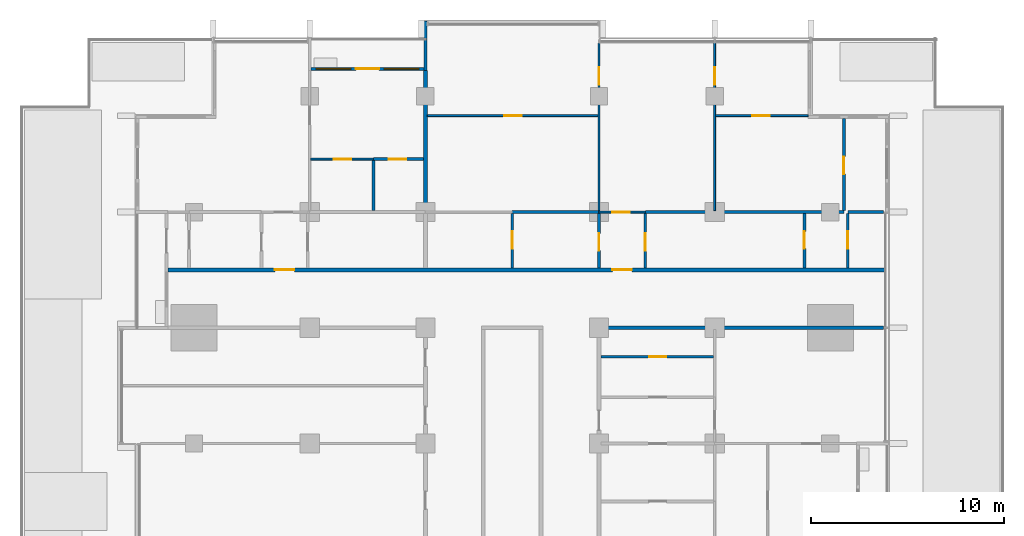
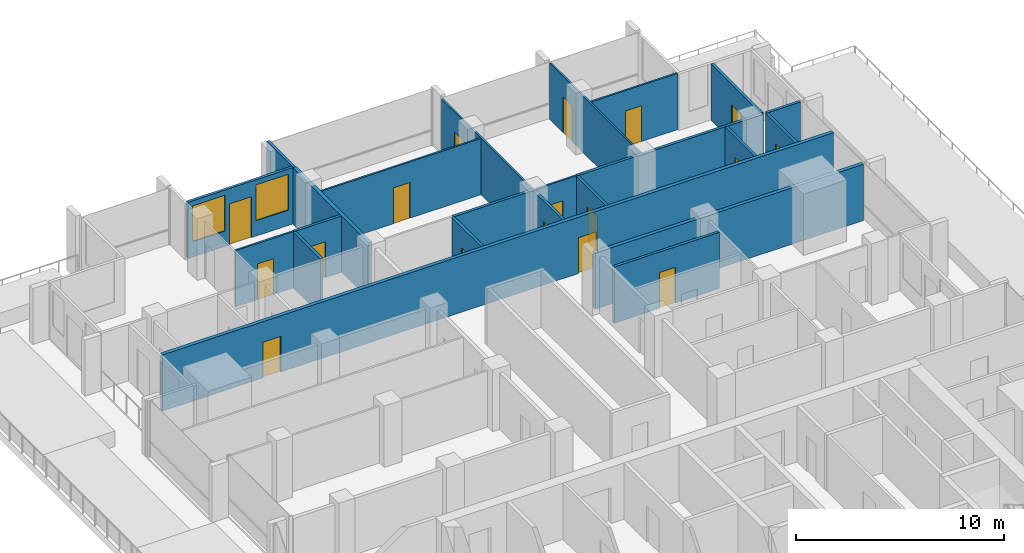
# One storey, part 11 of 18: 23 walls, 17 doors, 2 windows, 19 openings.
"""IFC4 building model written with IfcOpenShell, lengths in metres."""

from ifc_helpers import new_model, si_unit, direction, frame, frame_2d, origin, place, context, subcontext, project, spatial, rectangle, extrude, material, layer, layer_set, type_object, element, fill, save


model = new_model("IFC4")

# Units and contexts
model_context = context("Model", 3, precision=1e-05, world=origin(), true_north=direction((0.0, 1.0)))
body_context = subcontext(model_context, "Body", "Model", "MODEL_VIEW")
ifc_project = project(units=[si_unit("LENGTHUNIT", "METRE"), si_unit("AREAUNIT", "SQUARE_METRE"), si_unit("VOLUMEUNIT", "CUBIC_METRE"), si_unit("PLANEANGLEUNIT", "RADIAN"), si_unit("MASSUNIT", "GRAM", prefix="KILO")], contexts=[model_context])

# Site, building, storey
site_placement = place(None, origin())
site = spatial("IfcSite", under=ifc_project, at=site_placement, CompositionType="ELEMENT")
building_placement = place(site_placement, origin())
building = spatial("IfcBuilding", under=site, at=building_placement, Name="Finial Court Residences", CompositionType="ELEMENT")
storey_placement = place(building_placement, frame((0.0, 0.0, 149.300048828125)))
storey = spatial("IfcBuildingStorey", under=building, at=storey_placement, Name="L36", CompositionType="ELEMENT", Elevation=149.300048828125)

# Walls
ifc_material_1 = material(Name="Gypsum board")
ifc_layer_1 = layer(ifc_material_1, 0.02490234375)
ifc_material_2 = material(Name="Acoustic mineral wool in double frame")
ifc_layer_2 = layer(ifc_material_2, 0.14990234375)
ifc_layer_3 = layer(ifc_material_1, 0.02490234375)
ifc_layer_set_1 = layer_set([ifc_layer_1, ifc_layer_2, ifc_layer_3], Name="Acoustic party wall 200, 1 hour")
wall_type_1 = type_object("IfcWallType", Name="Acoustic party wall 200, 1 hour", PredefinedType="PARTITIONING", material=ifc_layer_set_1)
wall_1_placement = place(storey_placement, frame((-4.5, 13.574951171875, 0.0), z_axis=(0.0, 0.0, 1.0), x_axis=(0.0, 1.0, 0.0)))
element("IfcWall", 1, at=wall_1_placement, inside=storey, type_object=wall_type_1, Name="Partition L36-041", PredefinedType="PARTITIONING", context=body_context, shape_type="SweptSolid", body=[
    extrude(rectangle(XDim=7.275146484375, YDim=0.199951171875, at=frame_2d((3.6376953125, 0.0))), origin(), (0.0, 0.0, 1.0), 3.300048828125),
])
ifc_layer_4 = layer(ifc_material_1, 0.02490234375)
ifc_layer_5 = layer(ifc_material_2, 0.14990234375)
ifc_layer_6 = layer(ifc_material_1, 0.02490234375)
ifc_layer_set_2 = layer_set([ifc_layer_4, ifc_layer_5, ifc_layer_6], Name="Corridor wall 200, 1 hour")
wall_type_2 = type_object("IfcWallType", Name="Corridor wall 200, 1 hour", PredefinedType="PARTITIONING", material=ifc_layer_set_2)
wall_2_placement = place(storey_placement, frame((4.39990234375, 7.5, 0.0), z_axis=(0.0, 0.0, 1.0), x_axis=(1.0, 0.0, 0.0)))
element("IfcWall", 2, at=wall_2_placement, inside=storey, type_object=wall_type_2, Name="Partition L36-018", PredefinedType="PARTITIONING", context=body_context, shape_type="SweptSolid", body=[
    extrude(rectangle(XDim=14.862548828125, YDim=0.199951171875, at=frame_2d((7.43115234375, 0.0))), origin(), (0.0, 0.0, 1.0), 3.300048828125),
])

# Wall, openings, doors
wall_3_placement = place(storey_placement, frame((-17.85009765625, 10.5, 0.0), z_axis=(0.0, 0.0, 1.0), x_axis=(1.0, 0.0, 0.0)))
wall_3 = element("IfcWall", 3, at=wall_3_placement, inside=storey, type_object=wall_type_2, Name="Partition L36-019", PredefinedType="PARTITIONING", context=body_context, shape_type="SweptSolid", body=[
    extrude(rectangle(XDim=37.2001953125, YDim=0.199951171875, at=frame_2d((18.60009765625, 0.0))), origin(), (0.0, 0.0, 1.0), 3.300048828125),
])
opening_1_placement = place(wall_3_placement, frame((5.550048828125, 0.0, 0.0)))
opening_1 = element("IfcOpeningElement", 4, at=opening_1_placement, cuts=wall_3, Name="Opening L36-D015", PredefinedType="OPENING", context=body_context, shape_type="SweptSolid", body=[
    extrude(rectangle(XDim=1.0, YDim=2.10009765625, at=frame_2d((0.5, 1.050048828125))), frame((0.0, 0.10986328125, 0.0), z_axis=(0.0, -1.0, 0.0), x_axis=(1.0, 0.0, 0.0)), (0.0, 0.0, 1.0), 0.219970703125),
])
opening_2_placement = place(wall_3_placement, frame((23.050048828125, 0.0, 0.0)))
opening_2 = element("IfcOpeningElement", 5, at=opening_2_placement, cuts=wall_3, Name="Opening L36-D016", PredefinedType="OPENING", context=body_context, shape_type="SweptSolid", body=[
    extrude(rectangle(XDim=1.0, YDim=2.10009765625, at=frame_2d((0.5, 1.050048828125))), frame((0.0, 0.10986328125, 0.0), z_axis=(0.0, -1.0, 0.0), x_axis=(1.0, 0.0, 0.0)), (0.0, 0.0, 1.0), 0.219970703125),
])
ifc_material_3 = material(Name="Timber door leaf in hollow metal frame", Category="wood")
door_type_1 = type_object("IfcDoorType", Name="Fire door set 1000 x 2100, 30 minutes", OperationType="SINGLE_SWING_LEFT", PredefinedType="DOOR", material=ifc_material_3)
door_1_placement = place(opening_1_placement, origin())
door_1 = element("IfcDoor", 6, at=door_1_placement, inside=storey, type_object=door_type_1, Name="Door L36-D015", OperationType="SINGLE_SWING_RIGHT", OverallHeight=2.10009765625, OverallWidth=1.0, PredefinedType="DOOR", context=body_context, shape_type="SweptSolid", body=[
    extrude(rectangle(XDim=1.0, YDim=2.10009765625, at=frame_2d((0.5, 1.050048828125))), frame((0.0, 0.02490234375, 0.0), z_axis=(0.0, -1.0, 0.0), x_axis=(1.0, 0.0, 0.0)), (0.0, 0.0, 1.0), 0.050048828125),
])
fill(opening_1, door_1)
door_2_placement = place(opening_2_placement, origin())
door_2 = element("IfcDoor", 7, at=door_2_placement, inside=storey, type_object=door_type_1, Name="Door L36-D016", OperationType="SINGLE_SWING_LEFT", OverallHeight=2.10009765625, OverallWidth=1.0, PredefinedType="DOOR", context=body_context, shape_type="SweptSolid", body=[
    extrude(rectangle(XDim=1.0, YDim=2.10009765625, at=frame_2d((0.5, 1.050048828125))), frame((0.0, 0.02490234375, 0.0), z_axis=(0.0, -1.0, 0.0), x_axis=(1.0, 0.0, 0.0)), (0.0, 0.0, 1.0), 0.050048828125),
])
fill(opening_2, door_2)

# Wall, opening, door
ifc_layer_7 = layer(ifc_material_1, 0.012451171875)
ifc_material_4 = material(Name="Mineral wool in light-gauge frame")
ifc_layer_8 = layer(ifc_material_4, 0.074951171875)
ifc_layer_9 = layer(ifc_material_1, 0.012451171875)
ifc_layer_set_3 = layer_set([ifc_layer_7, ifc_layer_8, ifc_layer_9], Name="Gypsum board partition 100")
wall_type_3 = type_object("IfcWallType", Name="Gypsum board partition 100", PredefinedType="PARTITIONING", material=ifc_layer_set_3)
wall_4_placement = place(storey_placement, frame((4.5, 13.5, 0.0), z_axis=(0.0, 0.0, 1.0), x_axis=(1.0, 0.0, 0.0)))
wall_4 = element("IfcWall", 8, at=wall_4_placement, inside=storey, type_object=wall_type_3, Name="Partition L36-023", PredefinedType="PARTITIONING", context=body_context, shape_type="SweptSolid", body=[
    extrude(rectangle(XDim=2.39990234375, YDim=0.10009765625, at=frame_2d((1.199951171875, 0.0))), origin(), (0.0, 0.0, 1.0), 3.300048828125),
])
opening_3_placement = place(wall_4_placement, frame((0.699951171875, 0.0, 0.0)))
opening_3 = element("IfcOpeningElement", 9, at=opening_3_placement, cuts=wall_4, Name="Opening L36-D018", PredefinedType="OPENING", context=body_context, shape_type="SweptSolid", body=[
    extrude(rectangle(XDim=0.89990234375, YDim=2.10009765625, at=frame_2d((0.449951171875, 1.050048828125))), frame((0.0, 0.06005859375, 0.0), z_axis=(0.0, -1.0, 0.0), x_axis=(1.0, 0.0, 0.0)), (0.0, 0.0, 1.0), 0.1201171875),
])
ifc_material_5 = material(Name="Timber door leaf in timber frame", Category="wood")
door_type_2 = type_object("IfcDoorType", Name="Door set 900 x 2100", OperationType="SINGLE_SWING_LEFT", PredefinedType="DOOR", material=ifc_material_5)
door_3_placement = place(opening_3_placement, origin())
door_3 = element("IfcDoor", 10, at=door_3_placement, inside=storey, type_object=door_type_2, Name="Door L36-D018", OperationType="SINGLE_SWING_RIGHT", OverallHeight=2.10009765625, OverallWidth=0.89990234375, PredefinedType="DOOR", context=body_context, shape_type="SweptSolid", body=[
    extrude(rectangle(XDim=0.89990234375, YDim=2.10009765625, at=frame_2d((0.449951171875, 1.050048828125))), frame((0.0, 0.02490234375, 0.0), z_axis=(0.0, -1.0, 0.0), x_axis=(1.0, 0.0, 0.0)), (0.0, 0.0, 1.0), 0.050048828125),
])
fill(opening_3, door_3)

wall_5_placement = place(storey_placement, frame((-10.449951171875, 16.25, 0.0), z_axis=(0.0, 0.0, 1.0), x_axis=(1.0, 0.0, 0.0)))
wall_5 = element("IfcWall", 11, at=wall_5_placement, inside=storey, type_object=wall_type_3, Name="Partition L36-029", PredefinedType="PARTITIONING", context=body_context, shape_type="SweptSolid", body=[
    extrude(rectangle(XDim=3.25, YDim=0.10009765625, at=frame_2d((1.625, 0.0))), origin(), (0.0, 0.0, 1.0), 3.300048828125),
])
opening_4_placement = place(wall_5_placement, frame((1.199951171875, 0.0, 0.0)))
opening_4 = element("IfcOpeningElement", 12, at=opening_4_placement, cuts=wall_5, Name="Opening L36-D019", PredefinedType="OPENING", context=body_context, shape_type="SweptSolid", body=[
    extrude(rectangle(XDim=0.89990234375, YDim=2.10009765625, at=frame_2d((0.449951171875, 1.050048828125))), frame((0.0, 0.06005859375, 0.0), z_axis=(0.0, -1.0, 0.0), x_axis=(1.0, 0.0, 0.0)), (0.0, 0.0, 1.0), 0.1201171875),
])
door_4_placement = place(opening_4_placement, origin())
door_4 = element("IfcDoor", 13, at=door_4_placement, inside=storey, type_object=door_type_2, Name="Door L36-D019", OperationType="SINGLE_SWING_LEFT", OverallHeight=2.10009765625, OverallWidth=0.89990234375, PredefinedType="DOOR", context=body_context, shape_type="SweptSolid", body=[
    extrude(rectangle(XDim=0.89990234375, YDim=2.10009765625, at=frame_2d((0.449951171875, 1.050048828125))), frame((0.0, 0.02490234375, 0.0), z_axis=(0.0, -1.0, 0.0), x_axis=(1.0, 0.0, 0.0)), (0.0, 0.0, 1.0), 0.050048828125),
])
fill(opening_4, door_4)

wall_6_placement = place(storey_placement, frame((-4.39990234375, 18.5, 0.0), z_axis=(0.0, 0.0, 1.0), x_axis=(1.0, 0.0, 0.0)))
wall_6 = element("IfcWall", 14, at=wall_6_placement, inside=storey, type_object=wall_type_3, Name="Partition L36-031", PredefinedType="PARTITIONING", context=body_context, shape_type="SweptSolid", body=[
    extrude(rectangle(XDim=8.849853515625, YDim=0.10009765625, at=frame_2d((4.4248046875, 0.0))), origin(), (0.0, 0.0, 1.0), 3.300048828125),
])
opening_5_placement = place(wall_6_placement, frame((4.0, 0.0, 0.0)))
opening_5 = element("IfcOpeningElement", 15, at=opening_5_placement, cuts=wall_6, Name="Opening L36-D021", PredefinedType="OPENING", context=body_context, shape_type="SweptSolid", body=[
    extrude(rectangle(XDim=0.89990234375, YDim=2.10009765625, at=frame_2d((0.449951171875, 1.050048828125))), frame((0.0, 0.06005859375, 0.0), z_axis=(0.0, -1.0, 0.0), x_axis=(1.0, 0.0, 0.0)), (0.0, 0.0, 1.0), 0.1201171875),
])
door_5_placement = place(opening_5_placement, origin())
door_5 = element("IfcDoor", 16, at=door_5_placement, inside=storey, type_object=door_type_2, Name="Door L36-D021", OperationType="SINGLE_SWING_RIGHT", OverallHeight=2.10009765625, OverallWidth=0.89990234375, PredefinedType="DOOR", context=body_context, shape_type="SweptSolid", body=[
    extrude(rectangle(XDim=0.89990234375, YDim=2.10009765625, at=frame_2d((0.449951171875, 1.050048828125))), frame((0.0, 0.02490234375, 0.0), z_axis=(0.0, -1.0, 0.0), x_axis=(1.0, 0.0, 0.0)), (0.0, 0.0, 1.0), 0.050048828125),
])
fill(opening_5, door_5)

wall_7_placement = place(storey_placement, frame((10.550048828125, 18.5, 0.0), z_axis=(0.0, 0.0, 1.0), x_axis=(1.0, 0.0, 0.0)))
wall_7 = element("IfcWall", 17, at=wall_7_placement, inside=storey, type_object=wall_type_3, Name="Partition L36-032", PredefinedType="PARTITIONING", context=body_context, shape_type="SweptSolid", body=[
    extrude(rectangle(XDim=4.800048828125, YDim=0.10009765625, at=frame_2d((2.39990234375, 0.0))), origin(), (0.0, 0.0, 1.0), 3.300048828125),
])
opening_6_placement = place(wall_7_placement, frame((1.89990234375, 0.0, 0.0)))
opening_6 = element("IfcOpeningElement", 18, at=opening_6_placement, cuts=wall_7, Name="Opening L36-D022", PredefinedType="OPENING", context=body_context, shape_type="SweptSolid", body=[
    extrude(rectangle(XDim=0.89990234375, YDim=2.10009765625, at=frame_2d((0.449951171875, 1.050048828125))), frame((0.0, 0.06005859375, 0.0), z_axis=(0.0, -1.0, 0.0), x_axis=(1.0, 0.0, 0.0)), (0.0, 0.0, 1.0), 0.1201171875),
])
door_6_placement = place(opening_6_placement, origin())
door_6 = element("IfcDoor", 19, at=door_6_placement, inside=storey, type_object=door_type_2, Name="Door L36-D022", OperationType="SINGLE_SWING_RIGHT", OverallHeight=2.10009765625, OverallWidth=0.89990234375, PredefinedType="DOOR", context=body_context, shape_type="SweptSolid", body=[
    extrude(rectangle(XDim=0.89990234375, YDim=2.10009765625, at=frame_2d((0.449951171875, 1.050048828125))), frame((0.0, 0.02490234375, 0.0), z_axis=(0.0, -1.0, 0.0), x_axis=(1.0, 0.0, 0.0)), (0.0, 0.0, 1.0), 0.050048828125),
])
fill(opening_6, door_6)

wall_8_placement = place(storey_placement, frame((4.5, 13.574951171875, 0.0), z_axis=(0.0, 0.0, 1.0), x_axis=(0.0, 1.0, 0.0)))
wall_8 = element("IfcWall", 20, at=wall_8_placement, inside=storey, type_object=wall_type_3, Name="Partition L36-046", PredefinedType="PARTITIONING", context=body_context, shape_type="SweptSolid", body=[
    extrude(rectangle(XDim=8.6875, YDim=0.10009765625, at=frame_2d((4.34375, 0.0))), origin(), (0.0, 0.0, 1.0), 3.300048828125),
])
opening_7_placement = place(wall_8_placement, frame((6.52490234375, 0.0, 0.0)))
opening_7 = element("IfcOpeningElement", 21, at=opening_7_placement, cuts=wall_8, Name="Opening L36-D032", PredefinedType="OPENING", context=body_context, shape_type="SweptSolid", body=[
    extrude(rectangle(XDim=0.89990234375, YDim=2.10009765625, at=frame_2d((0.449951171875, 1.050048828125))), frame((0.0, 0.06005859375, 0.0), z_axis=(0.0, -1.0, 0.0), x_axis=(1.0, 0.0, 0.0)), (0.0, 0.0, 1.0), 0.1201171875),
])
door_7_placement = place(opening_7_placement, origin())
door_7 = element("IfcDoor", 22, at=door_7_placement, inside=storey, type_object=door_type_2, Name="Door L36-D032", OperationType="SINGLE_SWING_LEFT", OverallHeight=2.10009765625, OverallWidth=0.89990234375, PredefinedType="DOOR", context=body_context, shape_type="SweptSolid", body=[
    extrude(rectangle(XDim=0.89990234375, YDim=2.10009765625, at=frame_2d((0.449951171875, 1.050048828125))), frame((0.0, 0.02490234375, 0.0), z_axis=(0.0, -1.0, 0.0), x_axis=(1.0, 0.0, 0.0)), (0.0, 0.0, 1.0), 0.050048828125),
])
fill(opening_7, door_7)

wall_9_placement = place(storey_placement, frame((10.5, 13.574951171875, 0.0), z_axis=(0.0, 0.0, 1.0), x_axis=(0.0, 1.0, 0.0)))
wall_9 = element("IfcWall", 23, at=wall_9_placement, inside=storey, type_object=wall_type_3, Name="Partition L36-051", PredefinedType="PARTITIONING", context=body_context, shape_type="SweptSolid", body=[
    extrude(rectangle(XDim=8.6875, YDim=0.10009765625, at=frame_2d((4.34375, 0.0))), origin(), (0.0, 0.0, 1.0), 3.300048828125),
])
opening_8_placement = place(wall_9_placement, frame((6.52490234375, 0.0, 0.0)))
opening_8 = element("IfcOpeningElement", 24, at=opening_8_placement, cuts=wall_9, Name="Opening L36-D036", PredefinedType="OPENING", context=body_context, shape_type="SweptSolid", body=[
    extrude(rectangle(XDim=0.89990234375, YDim=2.10009765625, at=frame_2d((0.449951171875, 1.050048828125))), frame((0.0, 0.06005859375, 0.0), z_axis=(0.0, -1.0, 0.0), x_axis=(1.0, 0.0, 0.0)), (0.0, 0.0, 1.0), 0.1201171875),
])
door_8_placement = place(opening_8_placement, origin())
door_8 = element("IfcDoor", 25, at=door_8_placement, inside=storey, type_object=door_type_2, Name="Door L36-D036", OperationType="SINGLE_SWING_RIGHT", OverallHeight=2.10009765625, OverallWidth=0.89990234375, PredefinedType="DOOR", context=body_context, shape_type="SweptSolid", body=[
    extrude(rectangle(XDim=0.89990234375, YDim=2.10009765625, at=frame_2d((0.449951171875, 1.050048828125))), frame((0.0, 0.02490234375, 0.0), z_axis=(0.0, -1.0, 0.0), x_axis=(1.0, 0.0, 0.0)), (0.0, 0.0, 1.0), 0.050048828125),
])
fill(opening_8, door_8)

ifc_material_6 = material(Name="Moisture-resistant gypsum board")
ifc_layer_10 = layer(ifc_material_6, 0.012451171875)
ifc_layer_11 = layer(ifc_material_4, 0.125)
ifc_layer_12 = layer(ifc_material_6, 0.012451171875)
ifc_layer_set_4 = layer_set([ifc_layer_10, ifc_layer_11, ifc_layer_12], Name="Gypsum board wet-area partition 150")
wall_type_4 = type_object("IfcWallType", Name="Gypsum board wet-area partition 150", PredefinedType="PARTITIONING", material=ifc_layer_set_4)
wall_10_placement = place(storey_placement, frame((4.60009765625, 6.0, 0.0), z_axis=(0.0, 0.0, 1.0), x_axis=(1.0, 0.0, 0.0)))
wall_10 = element("IfcWall", 26, at=wall_10_placement, inside=storey, type_object=wall_type_4, Name="Partition L36-015", PredefinedType="PARTITIONING", context=body_context, shape_type="SweptSolid", body=[
    extrude(rectangle(XDim=5.824951171875, YDim=0.14990234375, at=frame_2d((2.91259765625, 0.0))), origin(), (0.0, 0.0, 1.0), 3.300048828125),
])
opening_9_placement = place(wall_10_placement, frame((2.5, 0.0, 0.0)))
opening_9 = element("IfcOpeningElement", 27, at=opening_9_placement, cuts=wall_10, Name="Opening L36-D014", PredefinedType="OPENING", context=body_context, shape_type="SweptSolid", body=[
    extrude(rectangle(XDim=0.89990234375, YDim=2.10009765625, at=frame_2d((0.449951171875, 1.050048828125))), frame((0.0, 0.0849609375, 0.0), z_axis=(0.0, -1.0, 0.0), x_axis=(1.0, 0.0, 0.0)), (0.0, 0.0, 1.0), 0.169921875),
])
door_9_placement = place(opening_9_placement, origin())
door_9 = element("IfcDoor", 28, at=door_9_placement, inside=storey, type_object=door_type_2, Name="Door L36-D014", OperationType="SINGLE_SWING_RIGHT", OverallHeight=2.10009765625, OverallWidth=0.89990234375, PredefinedType="DOOR", context=body_context, shape_type="SweptSolid", body=[
    extrude(rectangle(XDim=0.89990234375, YDim=2.10009765625, at=frame_2d((0.449951171875, 1.050048828125))), frame((0.0, 0.02490234375, 0.0), z_axis=(0.0, -1.0, 0.0), x_axis=(1.0, 0.0, 0.0)), (0.0, 0.0, 1.0), 0.050048828125),
])
fill(opening_9, door_9)

# Walls
wall_11_placement = place(storey_placement, frame((0.0, 13.5, 0.0), z_axis=(0.0, 0.0, 1.0), x_axis=(1.0, 0.0, 0.0)))
element("IfcWall", 29, at=wall_11_placement, inside=storey, type_object=wall_type_4, Name="Partition L36-026", PredefinedType="PARTITIONING", context=body_context, shape_type="SweptSolid", body=[
    extrude(rectangle(XDim=4.5, YDim=0.14990234375, at=frame_2d((2.25, 0.0))), origin(), (0.0, 0.0, 1.0), 3.300048828125),
])
wall_12_placement = place(storey_placement, frame((6.89990234375, 13.5, 0.0), z_axis=(0.0, 0.0, 1.0), x_axis=(1.0, 0.0, 0.0)))
element("IfcWall", 30, at=wall_12_placement, inside=storey, type_object=wall_type_4, Name="Partition L36-027", PredefinedType="PARTITIONING", context=body_context, shape_type="SweptSolid", body=[
    extrude(rectangle(XDim=10.300048828125, YDim=0.14990234375, at=frame_2d((5.14990234375, 0.0))), origin(), (0.0, 0.0, 1.0), 3.300048828125),
])
wall_13_placement = place(storey_placement, frame((17.39990234375, 13.5, 0.0), z_axis=(0.0, 0.0, 1.0), x_axis=(1.0, 0.0, 0.0)))
element("IfcWall", 31, at=wall_13_placement, inside=storey, type_object=wall_type_4, Name="Partition L36-028", PredefinedType="PARTITIONING", context=body_context, shape_type="SweptSolid", body=[
    extrude(rectangle(XDim=1.862548828125, YDim=0.14990234375, at=frame_2d((0.93115234375, 0.0))), origin(), (0.0, 0.0, 1.0), 3.300048828125),
])

# Wall, opening, door
wall_14_placement = place(storey_placement, frame((-7.199951171875, 16.25, 0.0), z_axis=(0.0, 0.0, 1.0), x_axis=(1.0, 0.0, 0.0)))
wall_14 = element("IfcWall", 32, at=wall_14_placement, inside=storey, type_object=wall_type_4, Name="Partition L36-030", PredefinedType="PARTITIONING", context=body_context, shape_type="SweptSolid", body=[
    extrude(rectangle(XDim=2.599853515625, YDim=0.14990234375, at=frame_2d((1.2998046875, 0.0))), origin(), (0.0, 0.0, 1.0), 3.300048828125),
])
opening_10_placement = place(wall_14_placement, frame((0.800048828125, 0.0, 0.0)))
opening_10 = element("IfcOpeningElement", 33, at=opening_10_placement, cuts=wall_14, Name="Opening L36-D020", PredefinedType="OPENING", context=body_context, shape_type="SweptSolid", body=[
    extrude(rectangle(XDim=0.89990234375, YDim=2.10009765625, at=frame_2d((0.449951171875, 1.050048828125))), frame((0.0, 0.0849609375, 0.0), z_axis=(0.0, -1.0, 0.0), x_axis=(1.0, 0.0, 0.0)), (0.0, 0.0, 1.0), 0.169921875),
])
door_10_placement = place(opening_10_placement, origin())
door_10 = element("IfcDoor", 34, at=door_10_placement, inside=storey, type_object=door_type_2, Name="Door L36-D020", OperationType="SINGLE_SWING_LEFT", OverallHeight=2.10009765625, OverallWidth=0.89990234375, PredefinedType="DOOR", context=body_context, shape_type="SweptSolid", body=[
    extrude(rectangle(XDim=0.89990234375, YDim=2.10009765625, at=frame_2d((0.449951171875, 1.050048828125))), frame((0.0, 0.02490234375, 0.0), z_axis=(0.0, -1.0, 0.0), x_axis=(1.0, 0.0, 0.0)), (0.0, 0.0, 1.0), 0.050048828125),
])
fill(opening_10, door_10)

# Wall
wall_15_placement = place(storey_placement, frame((-7.199951171875, 13.574951171875, 0.0), z_axis=(0.0, 0.0, 1.0), x_axis=(0.0, 1.0, 0.0)))
element("IfcWall", 35, at=wall_15_placement, inside=storey, type_object=wall_type_4, Name="Partition L36-038", PredefinedType="PARTITIONING", context=body_context, shape_type="SweptSolid", body=[
    extrude(rectangle(XDim=2.60009765625, YDim=0.14990234375, at=frame_2d((1.300048828125, 0.0))), origin(), (0.0, 0.0, 1.0), 3.300048828125),
])

# Wall, opening, door
wall_16_placement = place(storey_placement, frame((0.0, 10.60009765625, 0.0), z_axis=(0.0, 0.0, 1.0), x_axis=(0.0, 1.0, 0.0)))
wall_16 = element("IfcWall", 36, at=wall_16_placement, inside=storey, type_object=wall_type_4, Name="Partition L36-043", PredefinedType="PARTITIONING", context=body_context, shape_type="SweptSolid", body=[
    extrude(rectangle(XDim=2.824951171875, YDim=0.14990234375, at=frame_2d((1.41259765625, 0.0))), origin(), (0.0, 0.0, 1.0), 3.300048828125),
])
opening_11_placement = place(wall_16_placement, frame((1.0, 0.0, 0.0)))
opening_11 = element("IfcOpeningElement", 37, at=opening_11_placement, cuts=wall_16, Name="Opening L36-D030", PredefinedType="OPENING", context=body_context, shape_type="SweptSolid", body=[
    extrude(rectangle(XDim=0.89990234375, YDim=2.10009765625, at=frame_2d((0.449951171875, 1.050048828125))), frame((0.0, 0.0849609375, 0.0), z_axis=(0.0, -1.0, 0.0), x_axis=(1.0, 0.0, 0.0)), (0.0, 0.0, 1.0), 0.169921875),
])
door_11_placement = place(opening_11_placement, origin())
door_11 = element("IfcDoor", 38, at=door_11_placement, inside=storey, type_object=door_type_2, Name="Door L36-D030", OperationType="SINGLE_SWING_RIGHT", OverallHeight=2.10009765625, OverallWidth=0.89990234375, PredefinedType="DOOR", context=body_context, shape_type="SweptSolid", body=[
    extrude(rectangle(XDim=0.89990234375, YDim=2.10009765625, at=frame_2d((0.449951171875, 1.050048828125))), frame((0.0, 0.02490234375, 0.0), z_axis=(0.0, -1.0, 0.0), x_axis=(1.0, 0.0, 0.0)), (0.0, 0.0, 1.0), 0.050048828125),
])
fill(opening_11, door_11)

wall_17_placement = place(storey_placement, frame((4.5, 10.60009765625, 0.0), z_axis=(0.0, 0.0, 1.0), x_axis=(0.0, 1.0, 0.0)))
wall_17 = element("IfcWall", 39, at=wall_17_placement, inside=storey, type_object=wall_type_4, Name="Partition L36-047", PredefinedType="PARTITIONING", context=body_context, shape_type="SweptSolid", body=[
    extrude(rectangle(XDim=2.824951171875, YDim=0.14990234375, at=frame_2d((1.41259765625, 0.0))), origin(), (0.0, 0.0, 1.0), 3.300048828125),
])
opening_12_placement = place(wall_17_placement, frame((0.89990234375, 0.0, 0.0)))
opening_12 = element("IfcOpeningElement", 40, at=opening_12_placement, cuts=wall_17, Name="Opening L36-D033", PredefinedType="OPENING", context=body_context, shape_type="SweptSolid", body=[
    extrude(rectangle(XDim=0.89990234375, YDim=2.10009765625, at=frame_2d((0.449951171875, 1.050048828125))), frame((0.0, 0.0849609375, 0.0), z_axis=(0.0, -1.0, 0.0), x_axis=(1.0, 0.0, 0.0)), (0.0, 0.0, 1.0), 0.169921875),
])
door_12_placement = place(opening_12_placement, origin())
door_12 = element("IfcDoor", 41, at=door_12_placement, inside=storey, type_object=door_type_2, Name="Door L36-D033", OperationType="SINGLE_SWING_RIGHT", OverallHeight=2.10009765625, OverallWidth=0.89990234375, PredefinedType="DOOR", context=body_context, shape_type="SweptSolid", body=[
    extrude(rectangle(XDim=0.89990234375, YDim=2.10009765625, at=frame_2d((0.449951171875, 1.050048828125))), frame((0.0, 0.02490234375, 0.0), z_axis=(0.0, -1.0, 0.0), x_axis=(1.0, 0.0, 0.0)), (0.0, 0.0, 1.0), 0.050048828125),
])
fill(opening_12, door_12)

wall_18_placement = place(storey_placement, frame((6.89990234375, 10.60009765625, 0.0), z_axis=(0.0, 0.0, 1.0), x_axis=(0.0, 1.0, 0.0)))
wall_18 = element("IfcWall", 42, at=wall_18_placement, inside=storey, type_object=wall_type_4, Name="Partition L36-048", PredefinedType="PARTITIONING", context=body_context, shape_type="SweptSolid", body=[
    extrude(rectangle(XDim=2.824951171875, YDim=0.14990234375, at=frame_2d((1.41259765625, 0.0))), origin(), (0.0, 0.0, 1.0), 3.300048828125),
])
opening_13_placement = place(wall_18_placement, frame((0.89990234375, 0.0, 0.0)))
opening_13 = element("IfcOpeningElement", 43, at=opening_13_placement, cuts=wall_18, Name="Opening L36-D034", PredefinedType="OPENING", context=body_context, shape_type="SweptSolid", body=[
    extrude(rectangle(XDim=0.89990234375, YDim=2.10009765625, at=frame_2d((0.449951171875, 1.050048828125))), frame((0.0, 0.0849609375, 0.0), z_axis=(0.0, -1.0, 0.0), x_axis=(1.0, 0.0, 0.0)), (0.0, 0.0, 1.0), 0.169921875),
])
door_13_placement = place(opening_13_placement, origin())
door_13 = element("IfcDoor", 44, at=door_13_placement, inside=storey, type_object=door_type_2, Name="Door L36-D034", OperationType="SINGLE_SWING_RIGHT", OverallHeight=2.10009765625, OverallWidth=0.89990234375, PredefinedType="DOOR", context=body_context, shape_type="SweptSolid", body=[
    extrude(rectangle(XDim=0.89990234375, YDim=2.10009765625, at=frame_2d((0.449951171875, 1.050048828125))), frame((0.0, 0.02490234375, 0.0), z_axis=(0.0, -1.0, 0.0), x_axis=(1.0, 0.0, 0.0)), (0.0, 0.0, 1.0), 0.050048828125),
])
fill(opening_13, door_13)

wall_19_placement = place(storey_placement, frame((15.14990234375, 10.60009765625, 0.0), z_axis=(0.0, 0.0, 1.0), x_axis=(0.0, 1.0, 0.0)))
wall_19 = element("IfcWall", 45, at=wall_19_placement, inside=storey, type_object=wall_type_4, Name="Partition L36-055", PredefinedType="PARTITIONING", context=body_context, shape_type="SweptSolid", body=[
    extrude(rectangle(XDim=2.824951171875, YDim=0.14990234375, at=frame_2d((1.41259765625, 0.0))), origin(), (0.0, 0.0, 1.0), 3.300048828125),
])
opening_14_placement = place(wall_19_placement, frame((1.0, 0.0, 0.0)))
opening_14 = element("IfcOpeningElement", 46, at=opening_14_placement, cuts=wall_19, Name="Opening L36-D038", PredefinedType="OPENING", context=body_context, shape_type="SweptSolid", body=[
    extrude(rectangle(XDim=0.89990234375, YDim=2.10009765625, at=frame_2d((0.449951171875, 1.050048828125))), frame((0.0, 0.0849609375, 0.0), z_axis=(0.0, -1.0, 0.0), x_axis=(1.0, 0.0, 0.0)), (0.0, 0.0, 1.0), 0.169921875),
])
door_14_placement = place(opening_14_placement, origin())
door_14 = element("IfcDoor", 47, at=door_14_placement, inside=storey, type_object=door_type_2, Name="Door L36-D038", OperationType="SINGLE_SWING_RIGHT", OverallHeight=2.10009765625, OverallWidth=0.89990234375, PredefinedType="DOOR", context=body_context, shape_type="SweptSolid", body=[
    extrude(rectangle(XDim=0.89990234375, YDim=2.10009765625, at=frame_2d((0.449951171875, 1.050048828125))), frame((0.0, 0.02490234375, 0.0), z_axis=(0.0, -1.0, 0.0), x_axis=(1.0, 0.0, 0.0)), (0.0, 0.0, 1.0), 0.050048828125),
])
fill(opening_14, door_14)

wall_20_placement = place(storey_placement, frame((17.199951171875, 13.574951171875, 0.0), z_axis=(0.0, 0.0, 1.0), x_axis=(0.0, 1.0, 0.0)))
wall_20 = element("IfcWall", 48, at=wall_20_placement, inside=storey, type_object=wall_type_4, Name="Partition L36-057", PredefinedType="PARTITIONING", context=body_context, shape_type="SweptSolid", body=[
    extrude(rectangle(XDim=4.775146484375, YDim=0.14990234375, at=frame_2d((2.3876953125, 0.0))), origin(), (0.0, 0.0, 1.0), 3.300048828125),
])
opening_15_placement = place(wall_20_placement, frame((1.89990234375, 0.0, 0.0)))
opening_15 = element("IfcOpeningElement", 49, at=opening_15_placement, cuts=wall_20, Name="Opening L36-D039", PredefinedType="OPENING", context=body_context, shape_type="SweptSolid", body=[
    extrude(rectangle(XDim=0.89990234375, YDim=2.10009765625, at=frame_2d((0.449951171875, 1.050048828125))), frame((0.0, 0.0849609375, 0.0), z_axis=(0.0, -1.0, 0.0), x_axis=(1.0, 0.0, 0.0)), (0.0, 0.0, 1.0), 0.169921875),
])
door_15_placement = place(opening_15_placement, origin())
door_15 = element("IfcDoor", 50, at=door_15_placement, inside=storey, type_object=door_type_2, Name="Door L36-D039", OperationType="SINGLE_SWING_LEFT", OverallHeight=2.10009765625, OverallWidth=0.89990234375, PredefinedType="DOOR", context=body_context, shape_type="SweptSolid", body=[
    extrude(rectangle(XDim=0.89990234375, YDim=2.10009765625, at=frame_2d((0.449951171875, 1.050048828125))), frame((0.0, 0.02490234375, 0.0), z_axis=(0.0, -1.0, 0.0), x_axis=(1.0, 0.0, 0.0)), (0.0, 0.0, 1.0), 0.050048828125),
])
fill(opening_15, door_15)

wall_21_placement = place(storey_placement, frame((17.39990234375, 10.60009765625, 0.0), z_axis=(0.0, 0.0, 1.0), x_axis=(0.0, 1.0, 0.0)))
wall_21 = element("IfcWall", 51, at=wall_21_placement, inside=storey, type_object=wall_type_4, Name="Partition L36-058", PredefinedType="PARTITIONING", context=body_context, shape_type="SweptSolid", body=[
    extrude(rectangle(XDim=2.824951171875, YDim=0.14990234375, at=frame_2d((1.41259765625, 0.0))), origin(), (0.0, 0.0, 1.0), 3.300048828125),
])
opening_16_placement = place(wall_21_placement, frame((1.0, 0.0, 0.0)))
opening_16 = element("IfcOpeningElement", 52, at=opening_16_placement, cuts=wall_21, Name="Opening L36-D040", PredefinedType="OPENING", context=body_context, shape_type="SweptSolid", body=[
    extrude(rectangle(XDim=0.89990234375, YDim=2.10009765625, at=frame_2d((0.449951171875, 1.050048828125))), frame((0.0, 0.0849609375, 0.0), z_axis=(0.0, -1.0, 0.0), x_axis=(1.0, 0.0, 0.0)), (0.0, 0.0, 1.0), 0.169921875),
])
door_16_placement = place(opening_16_placement, origin())
door_16 = element("IfcDoor", 53, at=door_16_placement, inside=storey, type_object=door_type_2, Name="Door L36-D040", OperationType="SINGLE_SWING_RIGHT", OverallHeight=2.10009765625, OverallWidth=0.89990234375, PredefinedType="DOOR", context=body_context, shape_type="SweptSolid", body=[
    extrude(rectangle(XDim=0.89990234375, YDim=2.10009765625, at=frame_2d((0.449951171875, 1.050048828125))), frame((0.0, 0.02490234375, 0.0), z_axis=(0.0, -1.0, 0.0), x_axis=(1.0, 0.0, 0.0)), (0.0, 0.0, 1.0), 0.050048828125),
])
fill(opening_16, door_16)

# Wall
ifc_material_7 = material(Name="Natural limestone", Category="masonry")
ifc_layer_13 = layer(ifc_material_7, 0.14990234375)
ifc_layer_set_5 = layer_set([ifc_layer_13], Name="Limestone clad wall 150")
wall_type_5 = type_object("IfcWallType", Name="Limestone clad wall 150", PredefinedType="SOLIDWALL", material=ifc_layer_set_5)
wall_22_placement = place(storey_placement, frame((-4.5, 20.85009765625, 0.0), z_axis=(0.0, 0.0, 1.0), x_axis=(0.0, 1.0, 0.0)))
element("IfcWall", 54, at=wall_22_placement, inside=storey, type_object=wall_type_5, Name="E-L36-BALN2-P2", PredefinedType="SOLIDWALL", context=body_context, shape_type="SweptSolid", body=[
    extrude(rectangle(XDim=2.5498046875, YDim=0.14990234375, at=frame_2d((1.27490234375, 0.0))), origin(), (0.0, 0.0, 1.0), 3.300048828125),
])

# Wall, openings, door, windows
wall_23_placement = place(storey_placement, frame((-10.425048828125, 20.925048828125, 0.0), z_axis=(0.0, 0.0, 1.0), x_axis=(1.0, 0.0, 0.0)))
wall_23 = element("IfcWall", 55, at=wall_23_placement, inside=storey, type_object=wall_type_5, Name="E-L36-L36-BALN2-W", PredefinedType="SOLIDWALL", context=body_context, shape_type="SweptSolid", body=[
    extrude(rectangle(XDim=5.85009765625, YDim=0.14990234375, at=frame_2d((2.925048828125, 0.0))), origin(), (0.0, 0.0, 1.0), 3.300048828125),
])
opening_17_placement = place(wall_23_placement, frame((2.324951171875, 0.0, 0.0)))
opening_17 = element("IfcOpeningElement", 56, at=opening_17_placement, cuts=wall_23, Name="Opening DE36-01", PredefinedType="OPENING", context=body_context, shape_type="SweptSolid", body=[
    extrude(rectangle(XDim=1.199951171875, YDim=2.39990234375, at=frame_2d((0.60009765625, 1.199951171875))), frame((0.0, 0.0849609375, 0.0), z_axis=(0.0, -1.0, 0.0), x_axis=(1.0, 0.0, 0.0)), (0.0, 0.0, 1.0), 0.169921875),
])
opening_18_placement = place(wall_23_placement, frame((0.262451171875, 0.0, 0.89990234375)))
opening_18 = element("IfcOpeningElement", 57, at=opening_18_placement, cuts=wall_23, Name="Opening WE36-10", PredefinedType="OPENING", context=body_context, shape_type="SweptSolid", body=[
    extrude(rectangle(XDim=1.800048828125, YDim=2.10009765625, at=frame_2d((0.89990234375, 1.050048828125))), frame((0.0, 0.0849609375, 0.0), z_axis=(0.0, -1.0, 0.0), x_axis=(1.0, 0.0, 0.0)), (0.0, 0.0, 1.0), 0.169921875),
])
opening_19_placement = place(wall_23_placement, frame((3.78759765625, 0.0, 0.89990234375)))
opening_19 = element("IfcOpeningElement", 58, at=opening_19_placement, cuts=wall_23, Name="Opening WE36-11", PredefinedType="OPENING", context=body_context, shape_type="SweptSolid", body=[
    extrude(rectangle(XDim=1.800048828125, YDim=2.10009765625, at=frame_2d((0.89990234375, 1.050048828125))), frame((0.0, 0.0849609375, 0.0), z_axis=(0.0, -1.0, 0.0), x_axis=(1.0, 0.0, 0.0)), (0.0, 0.0, 1.0), 0.169921875),
])
ifc_material_8 = material(Name="Bronze anodised aluminium", Category="aluminium")
door_type_3 = type_object("IfcDoorType", Name="Balcony door 1200 x 2400", OperationType="SINGLE_SWING_LEFT", PredefinedType="DOOR", material=ifc_material_8)
door_17_placement = place(opening_17_placement, origin())
door_17 = element("IfcDoor", 59, at=door_17_placement, inside=storey, type_object=door_type_3, Name="E-L36-L36-BALN2-W-D", OperationType="SINGLE_SWING_LEFT", OverallHeight=2.39990234375, OverallWidth=1.199951171875, PredefinedType="DOOR", context=body_context, shape_type="SweptSolid", body=[
    extrude(rectangle(XDim=1.199951171875, YDim=2.39990234375, at=frame_2d((0.60009765625, 1.199951171875))), frame((0.0, 0.02490234375, 0.0), z_axis=(0.0, -1.0, 0.0), x_axis=(1.0, 0.0, 0.0)), (0.0, 0.0, 1.0), 0.050048828125),
])
fill(opening_17, door_17)
ifc_material_9 = material(Name="Clear low-e glass", Category="glass")
window_type = type_object("IfcWindowType", Name="Balcony window 1800 x 2100", PartitioningType="SINGLE_PANEL", PredefinedType="WINDOW", material=ifc_material_9)
window_1_placement = place(opening_18_placement, origin())
window_1 = element("IfcWindow", 60, at=window_1_placement, inside=storey, type_object=window_type, Name="E-L36-L36-BALN2-W-W1", OverallHeight=2.10009765625, OverallWidth=1.800048828125, PartitioningType="SINGLE_PANEL", PredefinedType="WINDOW", context=body_context, shape_type="SweptSolid", body=[
    extrude(rectangle(XDim=1.800048828125, YDim=2.10009765625, at=frame_2d((0.89990234375, 1.050048828125))), frame((0.0, 0.030029296875, 0.0), z_axis=(0.0, -1.0, 0.0), x_axis=(1.0, 0.0, 0.0)), (0.0, 0.0, 1.0), 0.06005859375),
])
fill(opening_18, window_1)
window_2_placement = place(opening_19_placement, origin())
window_2 = element("IfcWindow", 61, at=window_2_placement, inside=storey, type_object=window_type, Name="E-L36-L36-BALN2-W-W2", OverallHeight=2.10009765625, OverallWidth=1.800048828125, PartitioningType="SINGLE_PANEL", PredefinedType="WINDOW", context=body_context, shape_type="SweptSolid", body=[
    extrude(rectangle(XDim=1.800048828125, YDim=2.10009765625, at=frame_2d((0.89990234375, 1.050048828125))), frame((0.0, 0.030029296875, 0.0), z_axis=(0.0, -1.0, 0.0), x_axis=(1.0, 0.0, 0.0)), (0.0, 0.0, 1.0), 0.06005859375),
])
fill(opening_19, window_2)

save(model, "model.ifc")
